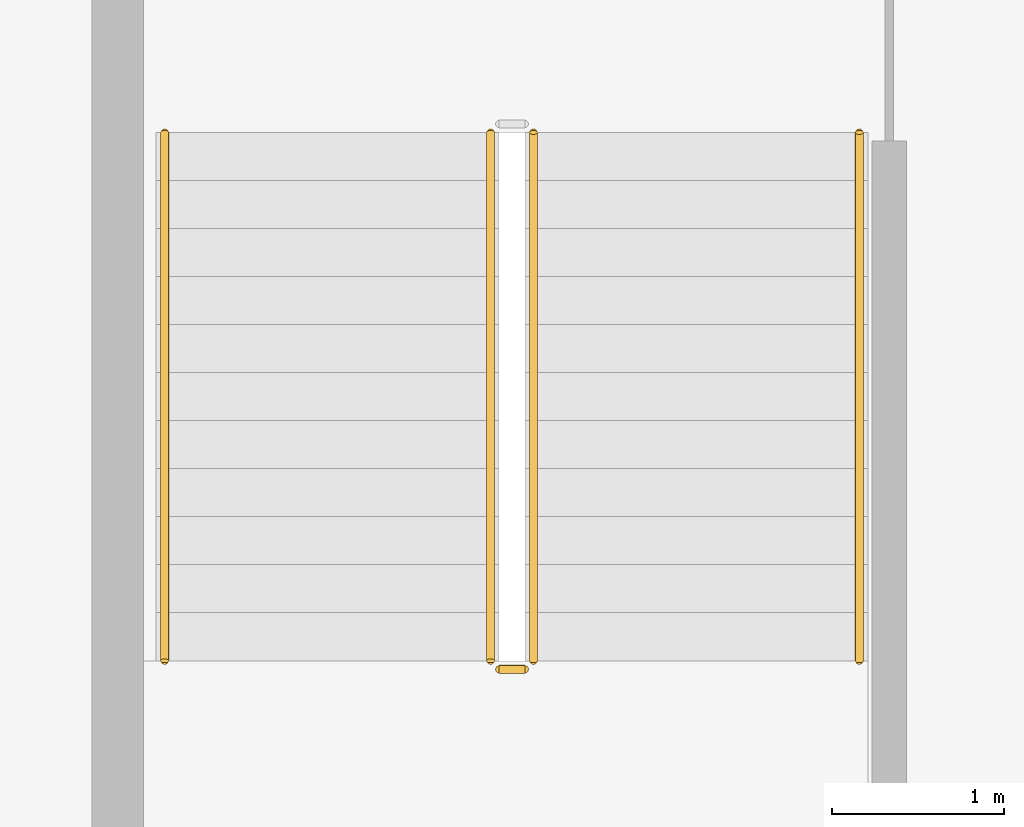
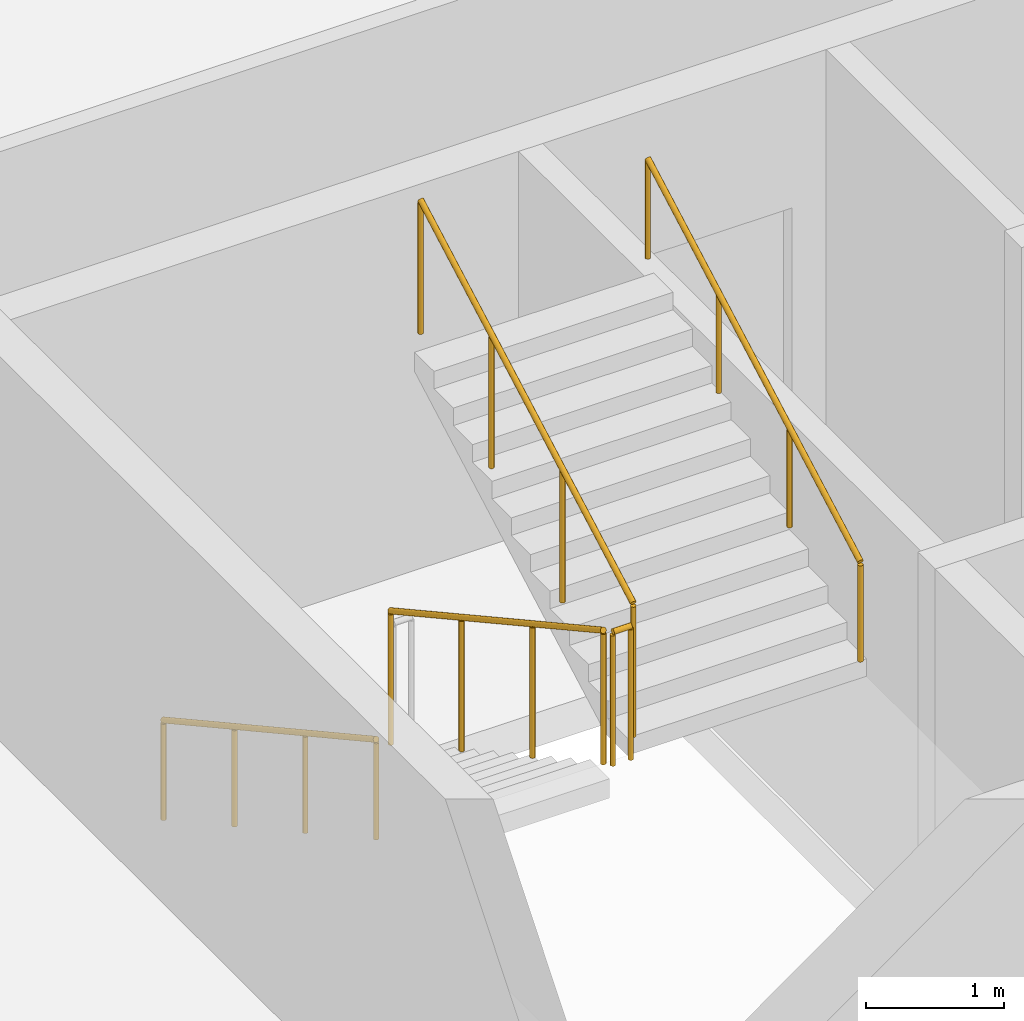
# One storey, part 8 of 10: 5 railings.
"""IFC4 building model written with IfcOpenShell, lengths in metres."""

from ifc_helpers import new_model, si_unit, direction, frame, origin, origin_2d, place, context, subcontext, project, spatial, circle, extrude, material, type_object, element, save


model = new_model("IFC4")

# Units and contexts
model_context = context("Model", 3, precision=1e-05, world=origin(), true_north=direction((0.0, 1.0)))
body_context = subcontext(model_context, "Body", "Model", "MODEL_VIEW")
ifc_project = project(units=[si_unit("LENGTHUNIT", "METRE"), si_unit("AREAUNIT", "SQUARE_METRE"), si_unit("VOLUMEUNIT", "CUBIC_METRE"), si_unit("PLANEANGLEUNIT", "RADIAN"), si_unit("MASSUNIT", "GRAM", prefix="KILO")], contexts=[model_context])

# Site, building, storey
site_placement = place(None, origin())
site = spatial("IfcSite", under=ifc_project, at=site_placement, CompositionType="ELEMENT")
building_placement = place(site_placement, origin())
building = spatial("IfcBuilding", under=site, at=building_placement, Name="Caravel Reach Hotel and Residences", CompositionType="ELEMENT")
storey_placement = place(building_placement, frame((0.0, 0.0, 290.800048828125)))
storey = spatial("IfcBuildingStorey", under=building, at=storey_placement, Name="L74", CompositionType="ELEMENT", Elevation=290.800048828125)

# Railings
ifc_material_1 = material(Name="Steel balustrade with glass infill", Category="steel")
railing_type_1 = type_object("IfcRailingType", Name="Guard 1200", PredefinedType="GUARDRAIL", material=ifc_material_1)
railing_1_placement = place(storey_placement, frame((20.175048828125, 29.35009765625, 0.154052734375)))
element("IfcRailing", 1, at=railing_1_placement, inside=storey, type_object=railing_type_1, Name="L74 ST-A stair guard 1", PredefinedType="GUARDRAIL", context=body_context, shape_type="SweptSolid", body=[
    extrude(circle(Radius=0.02392578125, at=origin_2d()), frame((0.0, 0.0, 1.17578125), z_axis=(0.0, -0.876004717809, 0.482302534076), x_axis=(1.0, 0.0, 0.0)), (0.0, 0.0, 1.0), 3.51611328125),
    extrude(circle(Radius=0.02099609375, at=origin_2d()), origin(), (0.0, 0.0, 1.0), 1.15185546875),
    extrude(circle(Radius=0.02099609375, at=origin_2d()), frame((0.0, -1.026611328125, 0.565185546875)), (0.0, 0.0, 1.0), 1.15185546875),
    extrude(circle(Radius=0.02099609375, at=origin_2d()), frame((0.0, -2.053466796875, 1.130615234375)), (0.0, 0.0, 1.0), 1.15185546875),
    extrude(circle(Radius=0.02099609375, at=origin_2d()), frame((0.0, -3.080078125, 1.69580078125)), (0.0, 0.0, 1.0), 1.15185546875),
])
railing_2_placement = place(storey_placement, frame((20.22509765625, 26.219970703125, 1.849853515625)))
element("IfcRailing", 2, at=railing_2_placement, inside=storey, type_object=railing_type_1, Name="L74 ST-A stair guard 2", PredefinedType="GUARDRAIL", context=body_context, shape_type="SweptSolid", body=[
    extrude(circle(Radius=0.02392578125, at=origin_2d()), frame((0.0, 0.0, 1.17578125), z_axis=(1.0, 0.0, 0.0), x_axis=(0.0, 1.0, 0.0)), (0.0, 0.0, 1.0), 0.14990234375),
    extrude(circle(Radius=0.02099609375, at=origin_2d()), origin(), (0.0, 0.0, 1.0), 1.15185546875),
    extrude(circle(Radius=0.02099609375, at=origin_2d()), frame((0.14990234375, 0.0, 0.0)), (0.0, 0.0, 1.0), 1.15185546875),
])
railing_3_placement = place(storey_placement, frame((20.425048828125, 26.27001953125, 2.004150390625)))
element("IfcRailing", 3, at=railing_3_placement, inside=storey, type_object=railing_type_1, Name="L74 ST-A stair guard 3", PredefinedType="GUARDRAIL", context=body_context, shape_type="SweptSolid", body=[
    extrude(circle(Radius=0.02392578125, at=origin_2d()), frame((0.0, 0.0, 1.17578125), z_axis=(0.0, 0.876004717809, 0.482302534076), x_axis=(-1.0, 0.0, 0.0)), (0.0, 0.0, 1.0), 3.51611328125),
    extrude(circle(Radius=0.02099609375, at=origin_2d()), origin(), (0.0, 0.0, 1.0), 1.15185546875),
    extrude(circle(Radius=0.02099609375, at=origin_2d()), frame((0.0, 1.026611328125, 0.565185546875)), (0.0, 0.0, 1.0), 1.15185546875),
    extrude(circle(Radius=0.02099609375, at=origin_2d()), frame((0.0, 2.053466796875, 1.130615234375)), (0.0, 0.0, 1.0), 1.15185546875),
    extrude(circle(Radius=0.02099609375, at=origin_2d()), frame((0.0, 3.080078125, 1.69580078125)), (0.0, 0.0, 1.0), 1.15185546875),
])
ifc_material_2 = material(Name="Stainless steel handrail", Category="steel")
railing_type_2 = type_object("IfcRailingType", Name="Handrail 900", PredefinedType="HANDRAIL", material=ifc_material_2)
railing_4_placement = place(storey_placement, frame((18.27490234375, 29.35009765625, 0.154052734375)))
element("IfcRailing", 4, at=railing_4_placement, inside=storey, type_object=railing_type_2, Name="L74 ST-A stair handrail 1", PredefinedType="HANDRAIL", context=body_context, shape_type="SweptSolid", body=[
    extrude(circle(Radius=0.02392578125, at=origin_2d()), frame((0.0, 0.0, 0.8759765625), z_axis=(0.0, -0.876004717809, 0.482302534076), x_axis=(1.0, 0.0, 0.0)), (0.0, 0.0, 1.0), 3.51611328125),
    extrude(circle(Radius=0.02099609375, at=origin_2d()), origin(), (0.0, 0.0, 1.0), 0.851806640625),
    extrude(circle(Radius=0.02099609375, at=origin_2d()), frame((0.0, -1.026611328125, 0.565185546875)), (0.0, 0.0, 1.0), 0.851806640625),
    extrude(circle(Radius=0.02099609375, at=origin_2d()), frame((0.0, -2.053466796875, 1.130615234375)), (0.0, 0.0, 1.0), 0.851806640625),
    extrude(circle(Radius=0.02099609375, at=origin_2d()), frame((0.0, -3.080078125, 1.69580078125)), (0.0, 0.0, 1.0), 0.851806640625),
])
railing_5_placement = place(storey_placement, frame((22.324951171875, 26.27001953125, 2.004150390625)))
element("IfcRailing", 5, at=railing_5_placement, inside=storey, type_object=railing_type_2, Name="L74 ST-A stair handrail 2", PredefinedType="HANDRAIL", context=body_context, shape_type="SweptSolid", body=[
    extrude(circle(Radius=0.02392578125, at=origin_2d()), frame((0.0, 0.0, 0.8759765625), z_axis=(0.0, 0.876004717809, 0.482302534076), x_axis=(-1.0, 0.0, 0.0)), (0.0, 0.0, 1.0), 3.51611328125),
    extrude(circle(Radius=0.02099609375, at=origin_2d()), origin(), (0.0, 0.0, 1.0), 0.851806640625),
    extrude(circle(Radius=0.02099609375, at=origin_2d()), frame((0.0, 1.026611328125, 0.565185546875)), (0.0, 0.0, 1.0), 0.851806640625),
    extrude(circle(Radius=0.02099609375, at=origin_2d()), frame((0.0, 2.053466796875, 1.130615234375)), (0.0, 0.0, 1.0), 0.851806640625),
    extrude(circle(Radius=0.02099609375, at=origin_2d()), frame((0.0, 3.080078125, 1.69580078125)), (0.0, 0.0, 1.0), 0.851806640625),
])

save(model, "model.ifc")
